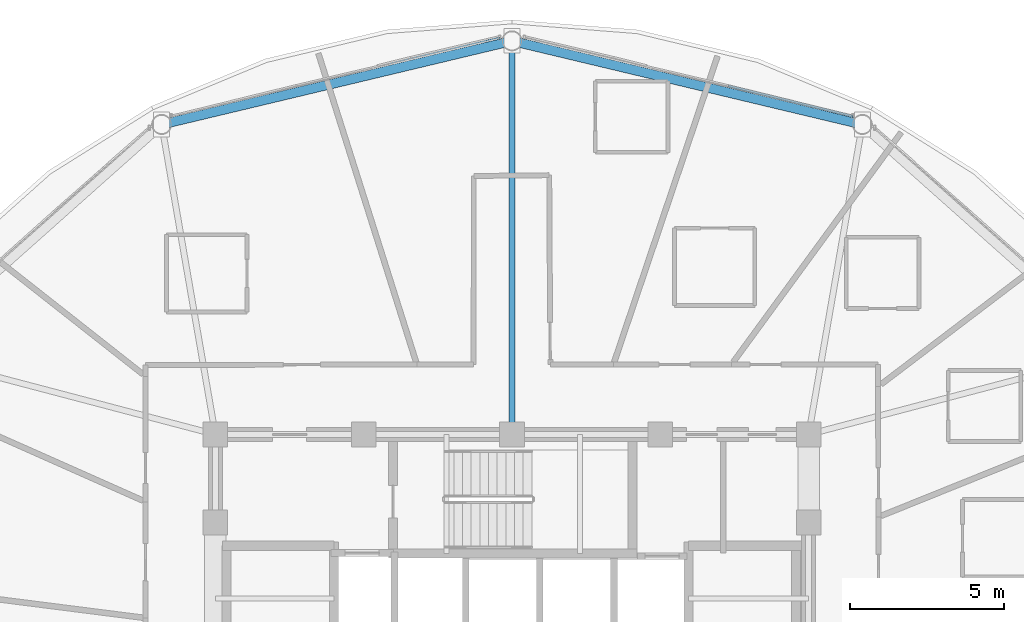
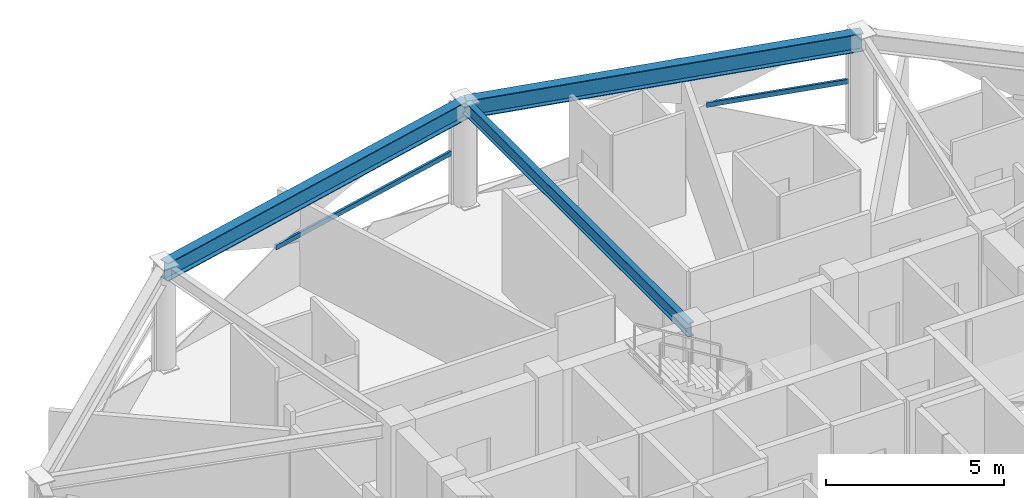
# One storey, part 18 of 30: 3 beams, 2 members, 2 elements without a shape of their own.
"""IFC4 building model written with IfcOpenShell, lengths in metres."""

from ifc_helpers import new_model, si_unit, direction, frame, origin, origin_2d, place, context, subcontext, project, spatial, hollow_rectangle, i_section, extrude, material, layer, layer_set, material_profile, profile_set, type_object, element, aggregate, save


model = new_model("IFC4")

# Units and contexts
model_context = context("Model", 3, precision=1e-05, world=origin(), true_north=direction((0.0, 1.0)))
body_context = subcontext(model_context, "Body", "Model", "MODEL_VIEW")
ifc_project = project(units=[si_unit("LENGTHUNIT", "METRE"), si_unit("AREAUNIT", "SQUARE_METRE"), si_unit("VOLUMEUNIT", "CUBIC_METRE"), si_unit("PLANEANGLEUNIT", "RADIAN"), si_unit("MASSUNIT", "GRAM", prefix="KILO")], contexts=[model_context])

# Site, building, storey
site_placement = place(None, origin())
site = spatial("IfcSite", under=ifc_project, at=site_placement, CompositionType="ELEMENT")
building_placement = place(site_placement, origin())
building = spatial("IfcBuilding", under=site, at=building_placement, Name="Vantalir Tower", CompositionType="ELEMENT")
storey_placement = place(building_placement, frame((0.0, 0.0, 186.14990234375)))
storey = spatial("IfcBuildingStorey", under=building, at=storey_placement, Name="L46", CompositionType="ELEMENT", Elevation=186.14990234375)

# Beams
ifc_material_1 = material(Name="Steel S355", Category="steel")
ifc_material_profile_1 = material_profile(ifc_material_1, i_section(OverallWidth=0.19189453125, OverallDepth=0.462890625, WebThickness=0.010498046875, FlangeThickness=0.017578125, at=origin_2d()), Name="Steel S355")
ifc_profile_set_1 = profile_set([ifc_material_profile_1], Name="Steel S355")
beam_type_1 = type_object("IfcBeamType", Name="BM-RB-457x191", PredefinedType="BEAM", material=ifc_profile_set_1)
beam_placement = place(storey_placement, frame((31.5, 45.18798828125, 3.338134765625), z_axis=(0.0, -1.0, 0.0), x_axis=(1.0, 0.0, 0.0)))
element("IfcBeam", 1, at=beam_placement, inside=storey, type_object=beam_type_1, Name="L46 Radial Floor Beam 04", PredefinedType="BEAM", context=body_context, shape_type="SweptSolid", body=[
    extrude(i_section(OverallWidth=0.19189453125, OverallDepth=0.462890625, WebThickness=0.010498046875, FlangeThickness=0.017578125, at=origin_2d()), origin(), (0.0, 0.0, 1.0), 12.738037109375),
])
ifc_material_2 = material(Name="Steel S460", Category="steel")
ifc_material_profile_2 = material_profile(ifc_material_2, i_section(OverallWidth=0.306884765625, OverallDepth=0.6201171875, WebThickness=0.01416015625, FlangeThickness=0.023681640625, at=origin_2d()), Name="Steel S460")
ifc_profile_set_2 = profile_set([ifc_material_profile_2], Name="Steel S460")
beam_type_2 = type_object("IfcBeamType", Name="BM-RG-610x305", PredefinedType="USERDEFINED", material=ifc_profile_set_2)
for number, where, z_axis, x_axis, name in (
    (2, (42.837890625, 42.48291015625, 3.260009765625), (-0.972698236559, 0.232073567206, 0.0), (-0.232073567206, -0.972698236559, 0.0), "L46 Circumferential Ring Girder 03"),
    (3, (31.5, 45.18798828125, 3.260009765625), (-0.972698236559, -0.232073567206, 0.0), (0.232073567206, -0.972698236559, 0.0), "L46 Circumferential Ring Girder 04"),
):
    element("IfcBeam", number, at=place(storey_placement, frame(where, z_axis=z_axis, x_axis=x_axis)), inside=storey, type_object=beam_type_2, Name=name, ObjectType="GIRDER", PredefinedType="USERDEFINED", context=body_context, shape_type="SweptSolid", body=[
        extrude(i_section(OverallWidth=0.306884765625, OverallDepth=0.6201171875, WebThickness=0.01416015625, FlangeThickness=0.023681640625, at=origin_2d()), origin(), (0.0, 0.0, 1.0), 11.656005859375),
    ])

# Curtain wall, member
ifc_material_3 = material(Name="Champagne-silver PVDF aluminium and double-silver Low-E glass", Category="aluminium")
ifc_layer = layer(ifc_material_3, 0.2099609375)
ifc_layer_set = layer_set([ifc_layer], Name="Champagne-silver PVDF aluminium and double-silver Low-E glass")
curtain_wall_type = type_object("IfcCurtainWallType", Name="CW-DIAMOND-Z3", PredefinedType="USERDEFINED", material=ifc_layer_set)
curtain_wall_1_placement = place(storey_placement, origin())
curtain_wall_1 = element("IfcCurtainWall", 4, at=curtain_wall_1_placement, inside=storey, type_object=curtain_wall_type, Name="L46 Quilted Pyramid-Diamond Curtain Wall S03", ObjectType="UNITISED CURTAIN WALL", PredefinedType="USERDEFINED")
ifc_material_4 = material(Name="Champagne-silver PVDF aluminium 6063-T6", Category="aluminium")
ifc_material_profile_3 = material_profile(ifc_material_4, hollow_rectangle(XDim=0.074951171875, YDim=0.159912109375, WallThickness=0.00390625, at=origin_2d()), Name="Champagne-silver PVDF aluminium 6063-T6")
ifc_profile_set_3 = profile_set([ifc_material_profile_3], Name="Champagne-silver PVDF aluminium 6063-T6")
member_type = type_object("IfcMemberType", Name="CWT-160x75", PredefinedType="USERDEFINED", material=ifc_profile_set_3)
member_1_placement = place(storey_placement, frame((42.533935546875, 42.742919921875, 1.78515625), z_axis=(-0.971276515079, 0.237953632576, 0.0), x_axis=(-0.237953632576, -0.971276515079, 0.0)))
member_1 = element("IfcMember", 5, at=member_1_placement, type_object=member_type, Name="CW-L46-S03 Pyramid Fold Ridge Transom", ObjectType="TRANSOM", PredefinedType="USERDEFINED", context=body_context, shape_type="SweptSolid", body=[
    extrude(hollow_rectangle(XDim=0.074951171875, YDim=0.159912109375, WallThickness=0.00390625, at=origin_2d()), origin(), (0.0, 0.0, 1.0), 4.15234375),
])
aggregate(curtain_wall_1, [member_1])

curtain_wall_2_placement = place(storey_placement, origin())
curtain_wall_2 = element("IfcCurtainWall", 6, at=curtain_wall_2_placement, inside=storey, type_object=curtain_wall_type, Name="L46 Quilted Pyramid-Diamond Curtain Wall S04", ObjectType="UNITISED CURTAIN WALL", PredefinedType="USERDEFINED")
member_2_placement = place(storey_placement, frame((31.10107421875, 45.282958984375, 1.78515625), z_axis=(-0.97346388674, -0.228840689594, 0.0), x_axis=(0.228840689594, -0.97346388674, 0.0)))
member_2 = element("IfcMember", 7, at=member_2_placement, type_object=member_type, Name="CW-L46-S04 Pyramid Fold Ridge Transom", ObjectType="TRANSOM", PredefinedType="USERDEFINED", context=body_context, shape_type="SweptSolid", body=[
    extrude(hollow_rectangle(XDim=0.074951171875, YDim=0.159912109375, WallThickness=0.00390625, at=origin_2d()), origin(), (0.0, 0.0, 1.0), 6.781982421875),
])
aggregate(curtain_wall_2, [member_2])

save(model, "model.ifc")
